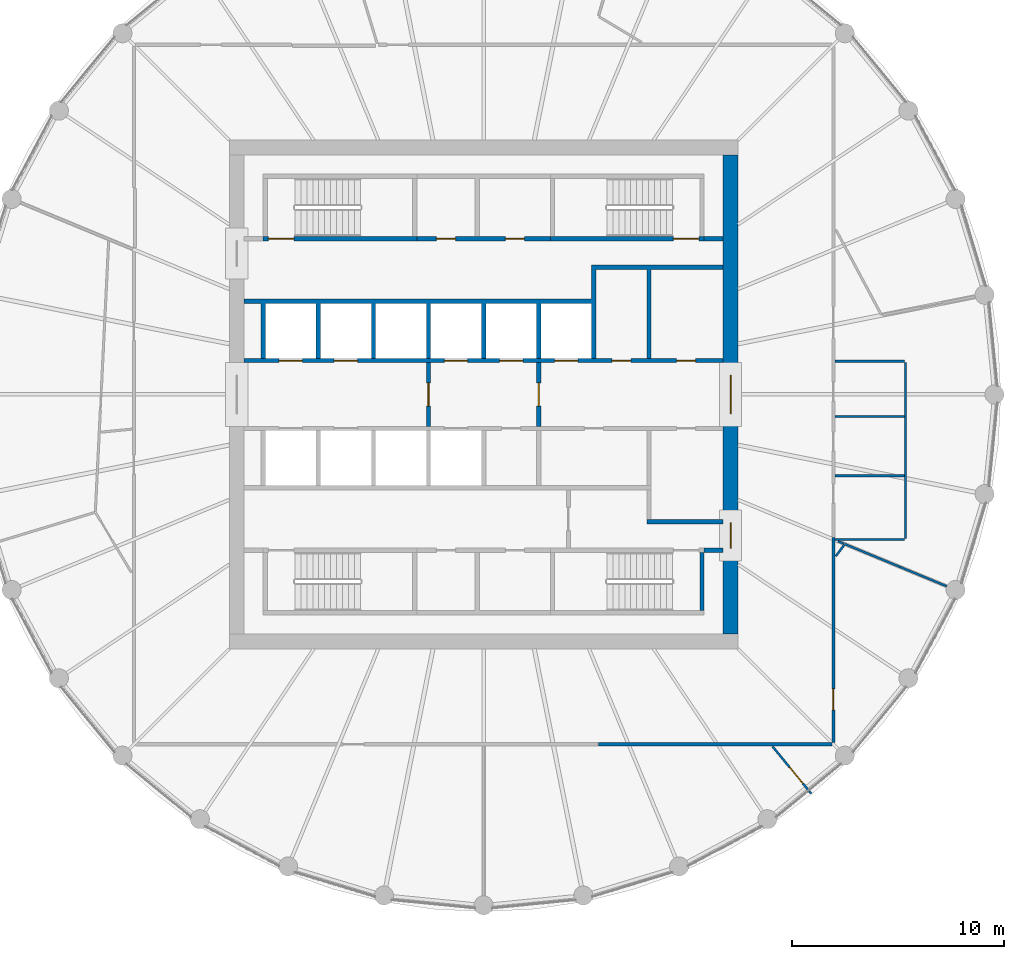
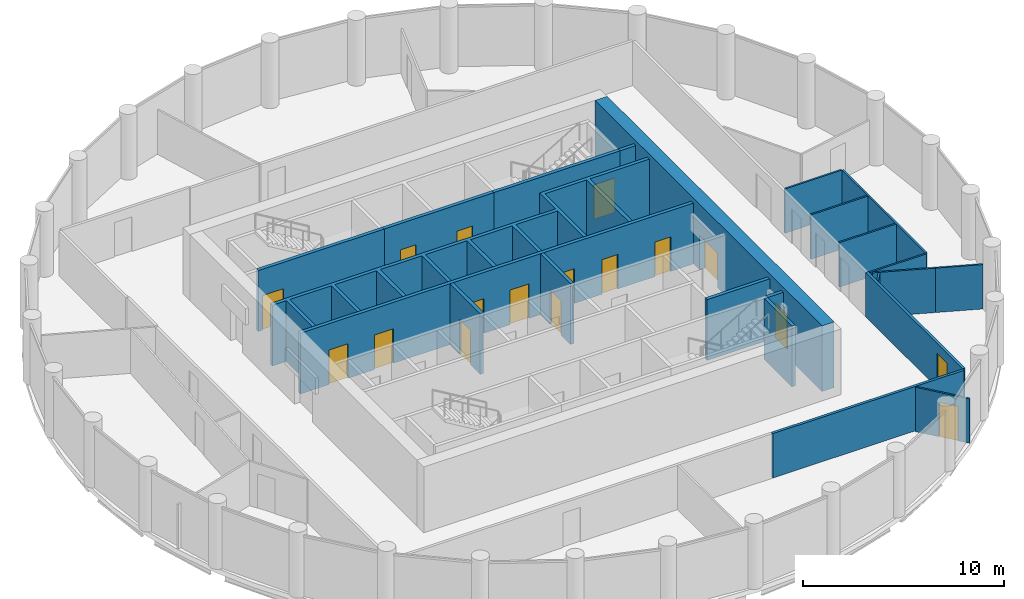
# One storey, part 5 of 7: 24 walls, 17 doors, 17 openings.
"""IFC4 building model written with IfcOpenShell, lengths in metres."""

from ifc_helpers import new_model, si_unit, direction, frame, frame_2d, origin, place, context, subcontext, project, spatial, polyline, rectangle, outline, extrude, material, layer, layer_set, type_object, element, fill, save


model = new_model("IFC4")

# Units and contexts
model_context = context("Model", 3, precision=1e-05, world=origin(), true_north=direction((0.0, 1.0)))
body_context = subcontext(model_context, "Body", "Model", "MODEL_VIEW")
ifc_project = project(units=[si_unit("LENGTHUNIT", "METRE"), si_unit("AREAUNIT", "SQUARE_METRE"), si_unit("VOLUMEUNIT", "CUBIC_METRE"), si_unit("PLANEANGLEUNIT", "RADIAN"), si_unit("MASSUNIT", "GRAM", prefix="KILO")], contexts=[model_context])

# Site, building, storey
site_placement = place(None, origin())
site = spatial("IfcSite", under=ifc_project, at=site_placement, CompositionType="ELEMENT")
building_placement = place(site_placement, origin())
building = spatial("IfcBuilding", under=site, at=building_placement, Name="Corvane Civic Tower", CompositionType="ELEMENT")
storey_placement = place(building_placement, frame((0.0, 0.0, 307.0)))
storey = spatial("IfcBuildingStorey", under=building, at=storey_placement, Name="L73", CompositionType="ELEMENT", Elevation=307.0)

# Wall, openings, doors
ifc_material_1 = material(Name="Concrete C40/50", Category="concrete")
ifc_layer_1 = layer(ifc_material_1, 0.699951171875)
ifc_layer_set_1 = layer_set([ifc_layer_1], Name="Concrete C40/50")
wall_type_1 = type_object("IfcWallType", Name="CORE WALL 700 C40/50", PredefinedType="SHEAR", material=ifc_layer_set_1)
wall_1_placement = place(storey_placement, frame((11.64990234375, -11.300048828125, 0.0), z_axis=(0.0, 0.0, 1.0), x_axis=(0.0, 1.0, 0.0)))
wall_1 = element("IfcWall", 1, at=wall_1_placement, inside=storey, type_object=wall_type_1, Name="W-L73-core-E", PredefinedType="SHEAR", context=body_context, shape_type="SweptSolid", body=[
    extrude(rectangle(XDim=22.60009765625, YDim=0.699951171875, at=frame_2d((11.300048828125, 0.0))), origin(), (0.0, 0.0, 1.0), 4.0),
])
opening_1_placement = place(wall_1_placement, frame((10.39990234375, 0.0, 0.0)))
opening_1 = element("IfcOpeningElement", 2, at=opening_1_placement, cuts=wall_1, Name="Opening L73.C18", PredefinedType="OPENING", context=body_context, shape_type="SweptSolid", body=[
    extrude(rectangle(XDim=1.800048828125, YDim=2.10009765625, at=frame_2d((0.89990234375, 1.050048828125))), frame((0.0, 0.35986328125, 0.0), z_axis=(0.0, -1.0, 0.0), x_axis=(1.0, 0.0, 0.0)), (0.0, 0.0, 1.0), 0.719970703125),
])
opening_2_placement = place(wall_1_placement, frame((4.050048828125, 0.0, 0.0)))
opening_2 = element("IfcOpeningElement", 3, at=opening_2_placement, cuts=wall_1, Name="Opening L73.C20", PredefinedType="OPENING", context=body_context, shape_type="SweptSolid", body=[
    extrude(rectangle(XDim=1.199951171875, YDim=2.10009765625, at=frame_2d((0.60009765625, 1.050048828125))), frame((0.0, 0.35986328125, 0.0), z_axis=(0.0, -1.0, 0.0), x_axis=(1.0, 0.0, 0.0)), (0.0, 0.0, 1.0), 0.719970703125),
])
ifc_material_2 = material(Name="Steel fire door leaf", Category="steel")
door_type_1 = type_object("IfcDoorType", Name="CR-DOOR-CORE-1800", OperationType="DOUBLE_DOOR_SINGLE_SWING", PredefinedType="DOOR", material=ifc_material_2)
door_1_placement = place(opening_1_placement, origin())
door_1 = element("IfcDoor", 4, at=door_1_placement, inside=storey, type_object=door_type_1, Name="L73 door", OperationType="DOUBLE_DOOR_SINGLE_SWING", OverallHeight=2.10009765625, OverallWidth=1.800048828125, PredefinedType="DOOR", context=body_context, shape_type="SweptSolid", body=[
    extrude(rectangle(XDim=1.800048828125, YDim=2.10009765625, at=frame_2d((0.89990234375, 1.050048828125))), frame((0.0, 0.02490234375, 0.0), z_axis=(0.0, -1.0, 0.0), x_axis=(1.0, 0.0, 0.0)), (0.0, 0.0, 1.0), 0.050048828125),
])
fill(opening_1, door_1)
door_2_placement = place(opening_2_placement, origin())
door_2 = element("IfcDoor", 5, at=door_2_placement, inside=storey, type_object=door_type_1, Name="L73 door", OperationType="DOUBLE_DOOR_SINGLE_SWING", OverallHeight=2.10009765625, OverallWidth=1.199951171875, PredefinedType="DOOR", context=body_context, shape_type="SweptSolid", body=[
    extrude(rectangle(XDim=1.199951171875, YDim=2.10009765625, at=frame_2d((0.60009765625, 1.050048828125))), frame((0.0, 0.02490234375, 0.0), z_axis=(0.0, -1.0, 0.0), x_axis=(1.0, 0.0, 0.0)), (0.0, 0.0, 1.0), 0.050048828125),
])
fill(opening_2, door_2)

ifc_material_3 = material(Name="Concrete C30/37", Category="concrete")
ifc_layer_2 = layer(ifc_material_3, 0.199951171875)
ifc_layer_set_2 = layer_set([ifc_layer_2], Name="Concrete C30/37")
wall_type_2 = type_object("IfcWallType", Name="CR-WALL-200", PredefinedType="PARTITIONING", material=ifc_layer_set_2)
wall_2_placement = place(storey_placement, frame((-11.300048828125, 1.60009765625, 0.0), z_axis=(0.0, 0.0, 1.0), x_axis=(1.0, 0.0, 0.0)))
wall_2 = element("IfcWall", 6, at=wall_2_placement, inside=storey, type_object=wall_type_2, Name="L73 lift shaft wall", PredefinedType="PARTITIONING", context=body_context, shape_type="SweptSolid", body=[
    extrude(rectangle(XDim=22.60009765625, YDim=0.199951171875, at=frame_2d((11.300048828125, 0.0))), origin(), (0.0, 0.0, 1.0), 3.699951171875),
])
opening_3_placement = place(wall_2_placement, frame((1.64990234375, 0.0, 0.0)))
opening_3 = element("IfcOpeningElement", 7, at=opening_3_placement, cuts=wall_2, Name="Opening LD", PredefinedType="OPENING", context=body_context, shape_type="SweptSolid", body=[
    extrude(rectangle(XDim=1.10009765625, YDim=2.10009765625, at=frame_2d((0.550048828125, 1.050048828125))), frame((0.0, 0.10986328125, 0.0), z_axis=(0.0, -1.0, 0.0), x_axis=(1.0, 0.0, 0.0)), (0.0, 0.0, 1.0), 0.219970703125),
])
opening_4_placement = place(wall_2_placement, frame((4.25, 0.0, 0.0)))
opening_4 = element("IfcOpeningElement", 8, at=opening_4_placement, cuts=wall_2, Name="Opening LD", PredefinedType="OPENING", context=body_context, shape_type="SweptSolid", body=[
    extrude(rectangle(XDim=1.10009765625, YDim=2.10009765625, at=frame_2d((0.550048828125, 1.050048828125))), frame((0.0, 0.10986328125, 0.0), z_axis=(0.0, -1.0, 0.0), x_axis=(1.0, 0.0, 0.0)), (0.0, 0.0, 1.0), 0.219970703125),
])
opening_5_placement = place(wall_2_placement, frame((9.449951171875, 0.0, 0.0)))
opening_5 = element("IfcOpeningElement", 9, at=opening_5_placement, cuts=wall_2, Name="Opening LD", PredefinedType="OPENING", context=body_context, shape_type="SweptSolid", body=[
    extrude(rectangle(XDim=1.10009765625, YDim=2.10009765625, at=frame_2d((0.550048828125, 1.050048828125))), frame((0.0, 0.10986328125, 0.0), z_axis=(0.0, -1.0, 0.0), x_axis=(1.0, 0.0, 0.0)), (0.0, 0.0, 1.0), 0.219970703125),
])
opening_6_placement = place(wall_2_placement, frame((12.050048828125, 0.0, 0.0)))
opening_6 = element("IfcOpeningElement", 10, at=opening_6_placement, cuts=wall_2, Name="Opening LD", PredefinedType="OPENING", context=body_context, shape_type="SweptSolid", body=[
    extrude(rectangle(XDim=1.10009765625, YDim=2.10009765625, at=frame_2d((0.550048828125, 1.050048828125))), frame((0.0, 0.10986328125, 0.0), z_axis=(0.0, -1.0, 0.0), x_axis=(1.0, 0.0, 0.0)), (0.0, 0.0, 1.0), 0.219970703125),
])
opening_7_placement = place(wall_2_placement, frame((14.64990234375, 0.0, 0.0)))
opening_7 = element("IfcOpeningElement", 11, at=opening_7_placement, cuts=wall_2, Name="Opening LD", PredefinedType="OPENING", context=body_context, shape_type="SweptSolid", body=[
    extrude(rectangle(XDim=1.10009765625, YDim=2.10009765625, at=frame_2d((0.550048828125, 1.050048828125))), frame((0.0, 0.10986328125, 0.0), z_axis=(0.0, -1.0, 0.0), x_axis=(1.0, 0.0, 0.0)), (0.0, 0.0, 1.0), 0.219970703125),
])
opening_8_placement = place(wall_2_placement, frame((17.35009765625, 0.0, 0.0)))
opening_8 = element("IfcOpeningElement", 12, at=opening_8_placement, cuts=wall_2, Name="Opening L73.C01", PredefinedType="OPENING", context=body_context, shape_type="SweptSolid", body=[
    extrude(rectangle(XDim=0.89990234375, YDim=2.10009765625, at=frame_2d((0.449951171875, 1.050048828125))), frame((0.0, 0.10986328125, 0.0), z_axis=(0.0, -1.0, 0.0), x_axis=(1.0, 0.0, 0.0)), (0.0, 0.0, 1.0), 0.219970703125),
])
opening_9_placement = place(wall_2_placement, frame((20.39990234375, 0.0, 0.0)))
opening_9 = element("IfcOpeningElement", 13, at=opening_9_placement, cuts=wall_2, Name="Opening L73.C02", PredefinedType="OPENING", context=body_context, shape_type="SweptSolid", body=[
    extrude(rectangle(XDim=0.89990234375, YDim=2.10009765625, at=frame_2d((0.449951171875, 1.050048828125))), frame((0.0, 0.10986328125, 0.0), z_axis=(0.0, -1.0, 0.0), x_axis=(1.0, 0.0, 0.0)), (0.0, 0.0, 1.0), 0.219970703125),
])
ifc_material_4 = material(Name="Steel fire door leaf", Category="steel")
door_type_2 = type_object("IfcDoorType", Name="CR-DOOR-900", OperationType="SINGLE_SWING_LEFT", PredefinedType="DOOR", material=ifc_material_4)
door_3_placement = place(opening_8_placement, origin())
door_3 = element("IfcDoor", 14, at=door_3_placement, inside=storey, type_object=door_type_2, Name="L73 door", OperationType="SINGLE_SWING_LEFT", OverallHeight=2.10009765625, OverallWidth=0.89990234375, PredefinedType="DOOR", context=body_context, shape_type="SweptSolid", body=[
    extrude(rectangle(XDim=0.89990234375, YDim=2.10009765625, at=frame_2d((0.449951171875, 1.050048828125))), frame((0.0, 0.02490234375, 0.0), z_axis=(0.0, -1.0, 0.0), x_axis=(1.0, 0.0, 0.0)), (0.0, 0.0, 1.0), 0.050048828125),
])
fill(opening_8, door_3)
door_4_placement = place(opening_9_placement, origin())
door_4 = element("IfcDoor", 15, at=door_4_placement, inside=storey, type_object=door_type_2, Name="L73 door", OperationType="SINGLE_SWING_LEFT", OverallHeight=2.10009765625, OverallWidth=0.89990234375, PredefinedType="DOOR", context=body_context, shape_type="SweptSolid", body=[
    extrude(rectangle(XDim=0.89990234375, YDim=2.10009765625, at=frame_2d((0.449951171875, 1.050048828125))), frame((0.0, 0.02490234375, 0.0), z_axis=(0.0, -1.0, 0.0), x_axis=(1.0, 0.0, 0.0)), (0.0, 0.0, 1.0), 0.050048828125),
])
fill(opening_9, door_4)
ifc_material_5 = material(Name="Stainless steel 316 door leaves", Category="steel")
door_type_3 = type_object("IfcDoorType", Name="LD", OperationType="DOUBLE_DOOR_SLIDING", PredefinedType="DOOR", material=ifc_material_5)
door_5_placement = place(opening_3_placement, origin())
door_5 = element("IfcDoor", 16, at=door_5_placement, inside=storey, type_object=door_type_3, Name="L73 landing door", OperationType="DOUBLE_DOOR_SLIDING", OverallHeight=2.10009765625, OverallWidth=1.10009765625, PredefinedType="DOOR", context=body_context, shape_type="SweptSolid", body=[
    extrude(rectangle(XDim=1.10009765625, YDim=2.10009765625, at=frame_2d((0.550048828125, 1.050048828125))), frame((0.0, 0.02490234375, 0.0), z_axis=(0.0, -1.0, 0.0), x_axis=(1.0, 0.0, 0.0)), (0.0, 0.0, 1.0), 0.050048828125),
])
fill(opening_3, door_5)
door_6_placement = place(opening_4_placement, origin())
door_6 = element("IfcDoor", 17, at=door_6_placement, inside=storey, type_object=door_type_3, Name="L73 landing door", OperationType="DOUBLE_DOOR_SLIDING", OverallHeight=2.10009765625, OverallWidth=1.10009765625, PredefinedType="DOOR", context=body_context, shape_type="SweptSolid", body=[
    extrude(rectangle(XDim=1.10009765625, YDim=2.10009765625, at=frame_2d((0.550048828125, 1.050048828125))), frame((0.0, 0.02490234375, 0.0), z_axis=(0.0, -1.0, 0.0), x_axis=(1.0, 0.0, 0.0)), (0.0, 0.0, 1.0), 0.050048828125),
])
fill(opening_4, door_6)
door_7_placement = place(opening_5_placement, origin())
door_7 = element("IfcDoor", 18, at=door_7_placement, inside=storey, type_object=door_type_3, Name="L73 landing door", OperationType="DOUBLE_DOOR_SLIDING", OverallHeight=2.10009765625, OverallWidth=1.10009765625, PredefinedType="DOOR", context=body_context, shape_type="SweptSolid", body=[
    extrude(rectangle(XDim=1.10009765625, YDim=2.10009765625, at=frame_2d((0.550048828125, 1.050048828125))), frame((0.0, 0.02490234375, 0.0), z_axis=(0.0, -1.0, 0.0), x_axis=(1.0, 0.0, 0.0)), (0.0, 0.0, 1.0), 0.050048828125),
])
fill(opening_5, door_7)
door_8_placement = place(opening_6_placement, origin())
door_8 = element("IfcDoor", 19, at=door_8_placement, inside=storey, type_object=door_type_3, Name="L73 landing door", OperationType="DOUBLE_DOOR_SLIDING", OverallHeight=2.10009765625, OverallWidth=1.10009765625, PredefinedType="DOOR", context=body_context, shape_type="SweptSolid", body=[
    extrude(rectangle(XDim=1.10009765625, YDim=2.10009765625, at=frame_2d((0.550048828125, 1.050048828125))), frame((0.0, 0.02490234375, 0.0), z_axis=(0.0, -1.0, 0.0), x_axis=(1.0, 0.0, 0.0)), (0.0, 0.0, 1.0), 0.050048828125),
])
fill(opening_6, door_8)
door_9_placement = place(opening_7_placement, origin())
door_9 = element("IfcDoor", 20, at=door_9_placement, inside=storey, type_object=door_type_3, Name="L73 landing door", OperationType="DOUBLE_DOOR_SLIDING", OverallHeight=2.10009765625, OverallWidth=1.10009765625, PredefinedType="DOOR", context=body_context, shape_type="SweptSolid", body=[
    extrude(rectangle(XDim=1.10009765625, YDim=2.10009765625, at=frame_2d((0.550048828125, 1.050048828125))), frame((0.0, 0.02490234375, 0.0), z_axis=(0.0, -1.0, 0.0), x_axis=(1.0, 0.0, 0.0)), (0.0, 0.0, 1.0), 0.050048828125),
])
fill(opening_7, door_9)

wall_3_placement = place(storey_placement, frame((-3.14990234375, 7.35009765625, 0.0), z_axis=(0.0, 0.0, 1.0), x_axis=(1.0, 0.0, 0.0)))
wall_3 = element("IfcWall", 21, at=wall_3_placement, inside=storey, type_object=wall_type_2, Name="L73 core partition wall", PredefinedType="PARTITIONING", context=body_context, shape_type="SweptSolid", body=[
    extrude(rectangle(XDim=6.2998046875, YDim=0.199951171875, at=frame_2d((3.14990234375, 0.0))), origin(), (0.0, 0.0, 1.0), 3.699951171875),
])
opening_10_placement = place(wall_3_placement, frame((0.925048828125, 0.0, 0.0)))
opening_10 = element("IfcOpeningElement", 22, at=opening_10_placement, cuts=wall_3, Name="Opening L73.C06", PredefinedType="OPENING", context=body_context, shape_type="SweptSolid", body=[
    extrude(rectangle(XDim=0.89990234375, YDim=2.10009765625, at=frame_2d((0.449951171875, 1.050048828125))), frame((0.0, 0.10986328125, 0.0), z_axis=(0.0, -1.0, 0.0), x_axis=(1.0, 0.0, 0.0)), (0.0, 0.0, 1.0), 0.219970703125),
])
opening_11_placement = place(wall_3_placement, frame((4.175048828125, 0.0, 0.0)))
opening_11 = element("IfcOpeningElement", 23, at=opening_11_placement, cuts=wall_3, Name="Opening L73.C07", PredefinedType="OPENING", context=body_context, shape_type="SweptSolid", body=[
    extrude(rectangle(XDim=0.89990234375, YDim=2.10009765625, at=frame_2d((0.449951171875, 1.050048828125))), frame((0.0, 0.10986328125, 0.0), z_axis=(0.0, -1.0, 0.0), x_axis=(1.0, 0.0, 0.0)), (0.0, 0.0, 1.0), 0.219970703125),
])
door_10_placement = place(opening_10_placement, origin())
door_10 = element("IfcDoor", 24, at=door_10_placement, inside=storey, type_object=door_type_2, Name="L73 door", OperationType="SINGLE_SWING_LEFT", OverallHeight=2.10009765625, OverallWidth=0.89990234375, PredefinedType="DOOR", context=body_context, shape_type="SweptSolid", body=[
    extrude(rectangle(XDim=0.89990234375, YDim=2.10009765625, at=frame_2d((0.449951171875, 1.050048828125))), frame((0.0, 0.02490234375, 0.0), z_axis=(0.0, -1.0, 0.0), x_axis=(1.0, 0.0, 0.0)), (0.0, 0.0, 1.0), 0.050048828125),
])
fill(opening_10, door_10)
door_11_placement = place(opening_11_placement, origin())
door_11 = element("IfcDoor", 25, at=door_11_placement, inside=storey, type_object=door_type_2, Name="L73 door", OperationType="SINGLE_SWING_LEFT", OverallHeight=2.10009765625, OverallWidth=0.89990234375, PredefinedType="DOOR", context=body_context, shape_type="SweptSolid", body=[
    extrude(rectangle(XDim=0.89990234375, YDim=2.10009765625, at=frame_2d((0.449951171875, 1.050048828125))), frame((0.0, 0.02490234375, 0.0), z_axis=(0.0, -1.0, 0.0), x_axis=(1.0, 0.0, 0.0)), (0.0, 0.0, 1.0), 0.050048828125),
])
fill(opening_11, door_11)

# Wall, opening, door
wall_4_placement = place(storey_placement, frame((-2.60009765625, -1.5, 0.0), z_axis=(0.0, 0.0, 1.0), x_axis=(0.0, 1.0, 0.0)))
wall_4 = element("IfcWall", 26, at=wall_4_placement, inside=storey, type_object=wall_type_2, Name="L73 firefighting lobby wall", PredefinedType="PARTITIONING", context=body_context, shape_type="SweptSolid", body=[
    extrude(rectangle(XDim=3.0, YDim=0.199951171875, at=frame_2d((1.5, 0.0))), origin(), (0.0, 0.0, 1.0), 3.699951171875),
])
opening_12_placement = place(wall_4_placement, frame((0.949951171875, 0.0, 0.0)))
opening_12 = element("IfcOpeningElement", 27, at=opening_12_placement, cuts=wall_4, Name="Opening L73.C14", PredefinedType="OPENING", context=body_context, shape_type="SweptSolid", body=[
    extrude(rectangle(XDim=1.10009765625, YDim=2.10009765625, at=frame_2d((0.550048828125, 1.050048828125))), frame((0.0, 0.10986328125, 0.0), z_axis=(0.0, -1.0, 0.0), x_axis=(1.0, 0.0, 0.0)), (0.0, 0.0, 1.0), 0.219970703125),
])
ifc_material_6 = material(Name="Steel fire door leaf", Category="steel")
door_type_4 = type_object("IfcDoorType", Name="CR-DOOR-FFL-1100", OperationType="SINGLE_SWING_LEFT", PredefinedType="DOOR", material=ifc_material_6)
door_12_placement = place(opening_12_placement, origin())
door_12 = element("IfcDoor", 28, at=door_12_placement, inside=storey, type_object=door_type_4, Name="L73 lobby door", OperationType="SINGLE_SWING_LEFT", OverallHeight=2.10009765625, OverallWidth=1.10009765625, PredefinedType="DOOR", context=body_context, shape_type="SweptSolid", body=[
    extrude(rectangle(XDim=1.10009765625, YDim=2.10009765625, at=frame_2d((0.550048828125, 1.050048828125))), frame((0.0, 0.02490234375, 0.0), z_axis=(0.0, -1.0, 0.0), x_axis=(1.0, 0.0, 0.0)), (0.0, 0.0, 1.0), 0.050048828125),
])
fill(opening_12, door_12)

wall_5_placement = place(storey_placement, frame((2.60009765625, -1.5, 0.0), z_axis=(0.0, 0.0, 1.0), x_axis=(0.0, 1.0, 0.0)))
wall_5 = element("IfcWall", 29, at=wall_5_placement, inside=storey, type_object=wall_type_2, Name="L73 firefighting lobby wall", PredefinedType="PARTITIONING", context=body_context, shape_type="SweptSolid", body=[
    extrude(rectangle(XDim=3.0, YDim=0.199951171875, at=frame_2d((1.5, 0.0))), origin(), (0.0, 0.0, 1.0), 3.699951171875),
])
opening_13_placement = place(wall_5_placement, frame((0.949951171875, 0.0, 0.0)))
opening_13 = element("IfcOpeningElement", 30, at=opening_13_placement, cuts=wall_5, Name="Opening L73.C15", PredefinedType="OPENING", context=body_context, shape_type="SweptSolid", body=[
    extrude(rectangle(XDim=1.10009765625, YDim=2.10009765625, at=frame_2d((0.550048828125, 1.050048828125))), frame((0.0, 0.10986328125, 0.0), z_axis=(0.0, -1.0, 0.0), x_axis=(1.0, 0.0, 0.0)), (0.0, 0.0, 1.0), 0.219970703125),
])
door_13_placement = place(opening_13_placement, origin())
door_13 = element("IfcDoor", 31, at=door_13_placement, inside=storey, type_object=door_type_4, Name="L73 lobby door", OperationType="SINGLE_SWING_LEFT", OverallHeight=2.10009765625, OverallWidth=1.10009765625, PredefinedType="DOOR", context=body_context, shape_type="SweptSolid", body=[
    extrude(rectangle(XDim=1.10009765625, YDim=2.10009765625, at=frame_2d((0.550048828125, 1.050048828125))), frame((0.0, 0.02490234375, 0.0), z_axis=(0.0, -1.0, 0.0), x_axis=(1.0, 0.0, 0.0)), (0.0, 0.0, 1.0), 0.050048828125),
])
fill(opening_13, door_13)

# Walls
wall_6_placement = place(storey_placement, origin())
element("IfcWall", 32, at=wall_6_placement, inside=storey, type_object=wall_type_2, Name="L73 core partition wall", PredefinedType="PARTITIONING", context=body_context, shape_type="SweptSolid", body=[
    extrude(outline(polyline([(11.300048828125, -6.10009765625), (7.699951171875, -6.10009765625), (7.699951171875, -5.89990234375), (11.300048828125, -5.89990234375), (11.300048828125, -6.10009765625)])), origin(), (0.0, 0.0, 1.0), 3.699951171875),
])
wall_7_placement = place(storey_placement, origin())
element("IfcWall", 33, at=wall_7_placement, inside=storey, type_object=wall_type_2, Name="L73 core partition wall", PredefinedType="PARTITIONING", context=body_context, shape_type="SweptSolid", body=[
    extrude(outline(polyline([(-5.300048828125, 1.699951171875), (-5.300048828125, 4.300048828125), (-7.699951171875, 4.300048828125), (-7.699951171875, 1.699951171875), (-7.89990234375, 1.699951171875), (-7.89990234375, 4.300048828125), (-10.300048828125, 4.300048828125), (-10.300048828125, 1.699951171875), (-10.5, 1.699951171875), (-10.5, 4.300048828125), (-11.300048828125, 4.300048828125), (-11.300048828125, 4.5), (5.10009765625, 4.5), (5.10009765625, 6.10009765625), (11.300048828125, 6.10009765625), (11.300048828125, 5.89990234375), (7.89990234375, 5.89990234375), (7.89990234375, 1.699951171875), (7.699951171875, 1.699951171875), (7.699951171875, 5.89990234375), (5.300048828125, 5.89990234375), (5.300048828125, 1.699951171875), (5.10009765625, 1.699951171875), (5.10009765625, 4.300048828125), (2.699951171875, 4.300048828125), (2.699951171875, 1.699951171875), (2.5, 1.699951171875), (2.5, 4.300048828125), (0.10009765625, 4.300048828125), (0.10009765625, 1.699951171875), (-0.10009765625, 1.699951171875), (-0.10009765625, 4.300048828125), (-2.5, 4.300048828125), (-2.5, 1.699951171875), (-2.699951171875, 1.699951171875), (-2.699951171875, 4.300048828125), (-5.10009765625, 4.300048828125), (-5.10009765625, 1.699951171875), (-5.300048828125, 1.699951171875)])), origin(), (0.0, 0.0, 1.0), 3.699951171875),
])
wall_8_placement = place(storey_placement, origin())
element("IfcWall", 34, at=wall_8_placement, inside=storey, type_object=wall_type_2, Name="L73 core partition wall", PredefinedType="PARTITIONING", context=body_context, shape_type="SweptSolid", body=[
    extrude(outline(polyline([(11.300048828125, -7.449951171875), (10.39990234375, -7.449951171875), (10.39990234375, -7.25), (11.300048828125, -7.25), (11.300048828125, -7.449951171875)])), origin(), (0.0, 0.0, 1.0), 3.699951171875),
])
wall_9_placement = place(storey_placement, origin())
element("IfcWall", 35, at=wall_9_placement, inside=storey, type_object=wall_type_2, Name="L73 core partition wall", PredefinedType="PARTITIONING", context=body_context, shape_type="SweptSolid", body=[
    extrude(outline(polyline([(10.39990234375, 7.25), (10.39990234375, 7.449951171875), (11.300048828125, 7.449951171875), (11.300048828125, 7.25), (10.39990234375, 7.25)])), origin(), (0.0, 0.0, 1.0), 3.699951171875),
])

# Wall, opening, door
ifc_material_7 = material(Name="Plasterboard")
ifc_layer_3 = layer(ifc_material_7, 0.10009765625)
ifc_layer_set_3 = layer_set([ifc_layer_3], Name="Plasterboard")
wall_type_3 = type_object("IfcWallType", Name="Partition 100 plasterboard on studs", PredefinedType="PARTITIONING", material=ifc_layer_set_3)
wall_10_placement = place(storey_placement, frame((13.62890625, -16.606689453125, 0.0), z_axis=(0.0, 0.0, 1.0), x_axis=(0.634336185926, -0.773057309147, 0.0)))
wall_10 = element("IfcWall", 36, at=wall_10_placement, inside=storey, type_object=wall_type_3, Name="Partition L73.002", PredefinedType="PARTITIONING", context=body_context, shape_type="SweptSolid", body=[
    extrude(rectangle(XDim=2.866943359375, YDim=0.10009765625, at=frame_2d((1.43359375, 0.0))), origin(), (0.0, 0.0, 1.0), 2.699951171875),
])
opening_14_placement = place(wall_10_placement, frame((1.2607421875, 0.0, 0.0)))
opening_14 = element("IfcOpeningElement", 37, at=opening_14_placement, cuts=wall_10, Name="Opening L73.002", PredefinedType="OPENING", context=body_context, shape_type="SweptSolid", body=[
    extrude(rectangle(XDim=1.0, YDim=2.10009765625, at=frame_2d((0.5, 1.050048828125))), frame((0.0, 0.06005859375, 0.0), z_axis=(0.0, -1.0, 0.0), x_axis=(1.0, 0.0, 0.0)), (0.0, 0.0, 1.0), 0.1201171875),
])
ifc_material_8 = material(Name="Timber", Category="wood")
door_type_5 = type_object("IfcDoorType", Name="Single door 1000", OperationType="NOTDEFINED", PredefinedType="DOOR", material=ifc_material_8)
door_14_placement = place(opening_14_placement, frame((1.0, 0.0, 0.0), z_axis=(0.0, 0.0, 1.0), x_axis=(-1.0, 0.0, 0.0)))
door_14 = element("IfcDoor", 38, at=door_14_placement, inside=storey, type_object=door_type_5, Name="Door L73.002", OperationType="SINGLE_SWING_RIGHT", OverallHeight=2.10009765625, OverallWidth=1.0, PredefinedType="DOOR", context=body_context, shape_type="SweptSolid", body=[
    extrude(rectangle(XDim=1.0, YDim=2.10009765625, at=frame_2d((0.5, 1.050048828125))), frame((0.0, 0.02490234375, 0.0), z_axis=(0.0, -1.0, 0.0), x_axis=(1.0, 0.0, 0.0)), (0.0, 0.0, 1.0), 0.050048828125),
])
fill(opening_14, door_14)

# Walls
wall_11_placement = place(storey_placement, frame((19.643310546875, -8.13671875, 0.0), z_axis=(0.0, 0.0, 1.0), x_axis=(0.923949280598, -0.382515002167, 0.0)))
element("IfcWall", 39, at=wall_11_placement, inside=storey, type_object=wall_type_3, Name="Partition L73.007", PredefinedType="PARTITIONING", context=body_context, shape_type="SweptSolid", body=[
    extrude(rectangle(XDim=2.378173828125, YDim=0.10009765625, at=frame_2d((1.18896484375, 0.0))), origin(), (0.0, 0.0, 1.0), 2.699951171875),
])
wall_12_placement = place(storey_placement, frame((17.02978515625, -7.053955078125, 0.0), z_axis=(0.0, 0.0, 1.0), x_axis=(0.92385378389, -0.382745589122, 0.0)))
element("IfcWall", 40, at=wall_12_placement, inside=storey, type_object=wall_type_3, Name="Partition L73.009", PredefinedType="PARTITIONING", context=body_context, shape_type="SweptSolid", body=[
    extrude(rectangle(XDim=2.828857421875, YDim=0.10009765625, at=frame_2d((1.41455078125, 0.0))), origin(), (0.0, 0.0, 1.0), 2.699951171875),
])
wall_13_placement = place(storey_placement, frame((16.574951171875, -6.83447265625, 0.0), z_axis=(0.0, 0.0, 1.0), x_axis=(1.0, 0.0, 0.0)))
element("IfcWall", 41, at=wall_13_placement, inside=storey, type_object=wall_type_3, Name="Partition L73.011", PredefinedType="PARTITIONING", context=body_context, shape_type="SweptSolid", body=[
    extrude(rectangle(XDim=3.275146484375, YDim=0.10009765625, at=frame_2d((1.6376953125, 0.0))), origin(), (0.0, 0.0, 1.0), 2.699951171875),
])
wall_14_placement = place(storey_placement, frame((19.89990234375, -6.784423828125, 0.0), z_axis=(0.0, 0.0, 1.0), x_axis=(0.0, 1.0, 0.0)))
element("IfcWall", 42, at=wall_14_placement, inside=storey, type_object=wall_type_3, Name="Partition L73.012", PredefinedType="PARTITIONING", context=body_context, shape_type="SweptSolid", body=[
    extrude(rectangle(XDim=8.2998046875, YDim=0.10009765625, at=frame_2d((4.14990234375, 0.0))), origin(), (0.0, 0.0, 1.0), 2.699951171875),
])
for number, where, z_axis, x_axis, name in (
    (43, (16.574951171875, -3.83447265625, 0.0), (0.0, 0.0, 1.0), (1.0, 0.0, 0.0), "Partition L73.015"),
    (44, (16.574951171875, -1.034423828125, 0.0), (0.0, 0.0, 1.0), (1.0, 0.0, 0.0), "Partition L73.017"),
    (45, (16.574951171875, 1.5654296875, 0.0), (0.0, 0.0, 1.0), (1.0, 0.0, 0.0), "Partition L73.018"),
):
    element("IfcWall", number, at=place(storey_placement, frame(where, z_axis=z_axis, x_axis=x_axis)), inside=storey, type_object=wall_type_3, Name=name, PredefinedType="PARTITIONING", context=body_context, shape_type="SweptSolid", body=[
        extrude(rectangle(XDim=3.275146484375, YDim=0.10009765625, at=frame_2d((1.6376953125, 0.0))), origin(), (0.0, 0.0, 1.0), 2.699951171875),
    ])
wall_15_placement = place(storey_placement, frame((16.71728515625, -6.924560546875, 0.0), z_axis=(0.0, 0.0, 1.0), x_axis=(0.924006983526, -0.382375593358, 0.0)))
element("IfcWall", 46, at=wall_15_placement, inside=storey, type_object=wall_type_3, Name="Partition L73.030", PredefinedType="PARTITIONING", context=body_context, shape_type="SweptSolid", body=[
    extrude(rectangle(XDim=0.302001953125, YDim=0.10009765625, at=frame_2d((0.15087890625, 0.0))), origin(), (0.0, 0.0, 1.0), 2.699951171875),
])
wall_16_placement = place(storey_placement, frame((16.614990234375, -7.6298828125, 0.0), z_axis=(0.0, 0.0, 1.0), x_axis=(0.595733138073, 0.803182437683, 0.0)))
element("IfcWall", 47, at=wall_16_placement, inside=storey, type_object=wall_type_3, Name="Partition L73.031", PredefinedType="PARTITIONING", context=body_context, shape_type="SweptSolid", body=[
    extrude(rectangle(XDim=0.669677734375, YDim=0.10009765625, at=frame_2d((0.3349609375, 0.0))), origin(), (0.0, 0.0, 1.0), 2.699951171875),
])

# Wall, opening, door
ifc_material_9 = material(Name="Concrete C50/60", Category="concrete")
ifc_layer_4 = layer(ifc_material_9, 0.199951171875)
ifc_layer_set_4 = layer_set([ifc_layer_4], Name="Concrete C50/60")
wall_type_4 = type_object("IfcWallType", Name="ST-WALL-200", PredefinedType="SHEAR", material=ifc_layer_set_4)
wall_17_placement = place(storey_placement, frame((-10.39990234375, 7.35009765625, 0.0), z_axis=(0.0, 0.0, 1.0), x_axis=(1.0, 0.0, 0.0)))
wall_17 = element("IfcWall", 48, at=wall_17_placement, inside=storey, type_object=wall_type_4, Name="L73 stair enclosure wall", PredefinedType="SHEAR", context=body_context, shape_type="SweptSolid", body=[
    extrude(rectangle(XDim=7.25, YDim=0.199951171875, at=frame_2d((3.625, 0.0))), origin(), (0.0, 0.0, 1.0), 3.699951171875),
])
opening_15_placement = place(wall_17_placement, frame((0.25, 0.0, 0.0)))
opening_15 = element("IfcOpeningElement", 49, at=opening_15_placement, cuts=wall_17, Name="Opening L73.C11", PredefinedType="OPENING", context=body_context, shape_type="SweptSolid", body=[
    extrude(rectangle(XDim=1.199951171875, YDim=2.10009765625, at=frame_2d((0.60009765625, 1.050048828125))), frame((0.0, 0.10986328125, 0.0), z_axis=(0.0, -1.0, 0.0), x_axis=(1.0, 0.0, 0.0)), (0.0, 0.0, 1.0), 0.219970703125),
])
ifc_material_10 = material(Name="Steel fire door leaf", Category="steel")
door_type_6 = type_object("IfcDoorType", Name="ST-DOOR-1200", OperationType="SINGLE_SWING_RIGHT", PredefinedType="DOOR", material=ifc_material_10)
door_15_placement = place(opening_15_placement, origin())
door_15 = element("IfcDoor", 50, at=door_15_placement, inside=storey, type_object=door_type_6, Name="L73 stair door", OperationType="SINGLE_SWING_RIGHT", OverallHeight=2.10009765625, OverallWidth=1.199951171875, PredefinedType="DOOR", context=body_context, shape_type="SweptSolid", body=[
    extrude(rectangle(XDim=1.199951171875, YDim=2.10009765625, at=frame_2d((0.60009765625, 1.050048828125))), frame((0.0, 0.02490234375, 0.0), z_axis=(0.0, -1.0, 0.0), x_axis=(1.0, 0.0, 0.0)), (0.0, 0.0, 1.0), 0.050048828125),
])
fill(opening_15, door_15)

wall_18_placement = place(storey_placement, frame((3.14990234375, 7.35009765625, 0.0), z_axis=(0.0, 0.0, 1.0), x_axis=(1.0, 0.0, 0.0)))
wall_18 = element("IfcWall", 51, at=wall_18_placement, inside=storey, type_object=wall_type_4, Name="L73 stair enclosure wall", PredefinedType="SHEAR", context=body_context, shape_type="SweptSolid", body=[
    extrude(rectangle(XDim=7.25, YDim=0.199951171875, at=frame_2d((3.625, 0.0))), origin(), (0.0, 0.0, 1.0), 3.699951171875),
])
opening_16_placement = place(wall_18_placement, frame((5.800048828125, 0.0, 0.0)))
opening_16 = element("IfcOpeningElement", 52, at=opening_16_placement, cuts=wall_18, Name="Opening L73.C10", PredefinedType="OPENING", context=body_context, shape_type="SweptSolid", body=[
    extrude(rectangle(XDim=1.199951171875, YDim=2.10009765625, at=frame_2d((0.60009765625, 1.050048828125))), frame((0.0, 0.10986328125, 0.0), z_axis=(0.0, -1.0, 0.0), x_axis=(1.0, 0.0, 0.0)), (0.0, 0.0, 1.0), 0.219970703125),
])
door_16_placement = place(opening_16_placement, origin())
door_16 = element("IfcDoor", 53, at=door_16_placement, inside=storey, type_object=door_type_6, Name="L73 stair door", OperationType="SINGLE_SWING_RIGHT", OverallHeight=2.10009765625, OverallWidth=1.199951171875, PredefinedType="DOOR", context=body_context, shape_type="SweptSolid", body=[
    extrude(rectangle(XDim=1.199951171875, YDim=2.10009765625, at=frame_2d((0.60009765625, 1.050048828125))), frame((0.0, 0.02490234375, 0.0), z_axis=(0.0, -1.0, 0.0), x_axis=(1.0, 0.0, 0.0)), (0.0, 0.0, 1.0), 0.050048828125),
])
fill(opening_16, door_16)

# Walls
wall_19_placement = place(storey_placement, origin())
element("IfcWall", 54, at=wall_19_placement, inside=storey, type_object=wall_type_4, Name="L73 stair enclosure wall", PredefinedType="SHEAR", context=body_context, shape_type="SweptSolid", body=[
    extrude(outline(polyline([(10.39990234375, -7.449951171875), (10.39990234375, -10.199951171875), (10.199951171875, -10.199951171875), (10.199951171875, -7.449951171875), (10.39990234375, -7.449951171875)])), origin(), (0.0, 0.0, 1.0), 3.699951171875),
])
ifc_material_11 = material(Name="Plasterboard")
ifc_layer_5 = layer(ifc_material_11, 0.14990234375)
ifc_layer_set_5 = layer_set([ifc_layer_5], Name="Plasterboard")
wall_type_5 = type_object("IfcWallType", Name="Tenancy wall 150 EI 60", PredefinedType="PARTITIONING", material=ifc_layer_set_5)
wall_20_placement = place(storey_placement, frame((5.430419921875, -16.5, 0.0), z_axis=(0.0, 0.0, 1.0), x_axis=(1.0, 0.0, 0.0)))
element("IfcWall", 55, at=wall_20_placement, inside=storey, type_object=wall_type_5, Name="Partition L73.004", PredefinedType="PARTITIONING", context=body_context, shape_type="SweptSolid", body=[
    extrude(rectangle(XDim=10.99462890625, YDim=0.14990234375, at=frame_2d((5.497314453125, 0.0))), origin(), (0.0, 0.0, 1.0), 2.699951171875),
])

# Wall, opening, door
wall_21_placement = place(storey_placement, frame((16.5, -16.425048828125, 0.0), z_axis=(0.0, 0.0, 1.0), x_axis=(0.0, 1.0, 0.0)))
wall_21 = element("IfcWall", 56, at=wall_21_placement, inside=storey, type_object=wall_type_5, Name="Partition L73.006", PredefinedType="PARTITIONING", context=body_context, shape_type="SweptSolid", body=[
    extrude(rectangle(XDim=9.66552734375, YDim=0.14990234375, at=frame_2d((4.832763671875, 0.0))), origin(), (0.0, 0.0, 1.0), 2.699951171875),
])
opening_17_placement = place(wall_21_placement, frame((1.530029296875, 0.0, 0.0)))
opening_17 = element("IfcOpeningElement", 57, at=opening_17_placement, cuts=wall_21, Name="Opening L73.001", PredefinedType="OPENING", context=body_context, shape_type="SweptSolid", body=[
    extrude(rectangle(XDim=1.0, YDim=2.10009765625, at=frame_2d((0.5, 1.050048828125))), frame((0.0, 0.0849609375, 0.0), z_axis=(0.0, -1.0, 0.0), x_axis=(1.0, 0.0, 0.0)), (0.0, 0.0, 1.0), 0.169921875),
])
ifc_material_12 = material(Name="Steel and timber", Category="steel")
door_type_7 = type_object("IfcDoorType", Name="Fire door FD30S 1000", OperationType="NOTDEFINED", PredefinedType="DOOR", material=ifc_material_12)
door_17_placement = place(opening_17_placement, frame((1.0, 0.0, 0.0), z_axis=(0.0, 0.0, 1.0), x_axis=(-1.0, 0.0, 0.0)))
door_17 = element("IfcDoor", 58, at=door_17_placement, inside=storey, type_object=door_type_7, Name="Door L73.001", OperationType="SINGLE_SWING_LEFT", OverallHeight=2.10009765625, OverallWidth=1.0, PredefinedType="DOOR", context=body_context, shape_type="SweptSolid", body=[
    extrude(rectangle(XDim=1.0, YDim=2.10009765625, at=frame_2d((0.5, 1.050048828125))), frame((0.0, 0.02490234375, 0.0), z_axis=(0.0, -1.0, 0.0), x_axis=(1.0, 0.0, 0.0)), (0.0, 0.0, 1.0), 0.050048828125),
])
fill(opening_17, door_17)

save(model, "model.ifc")
